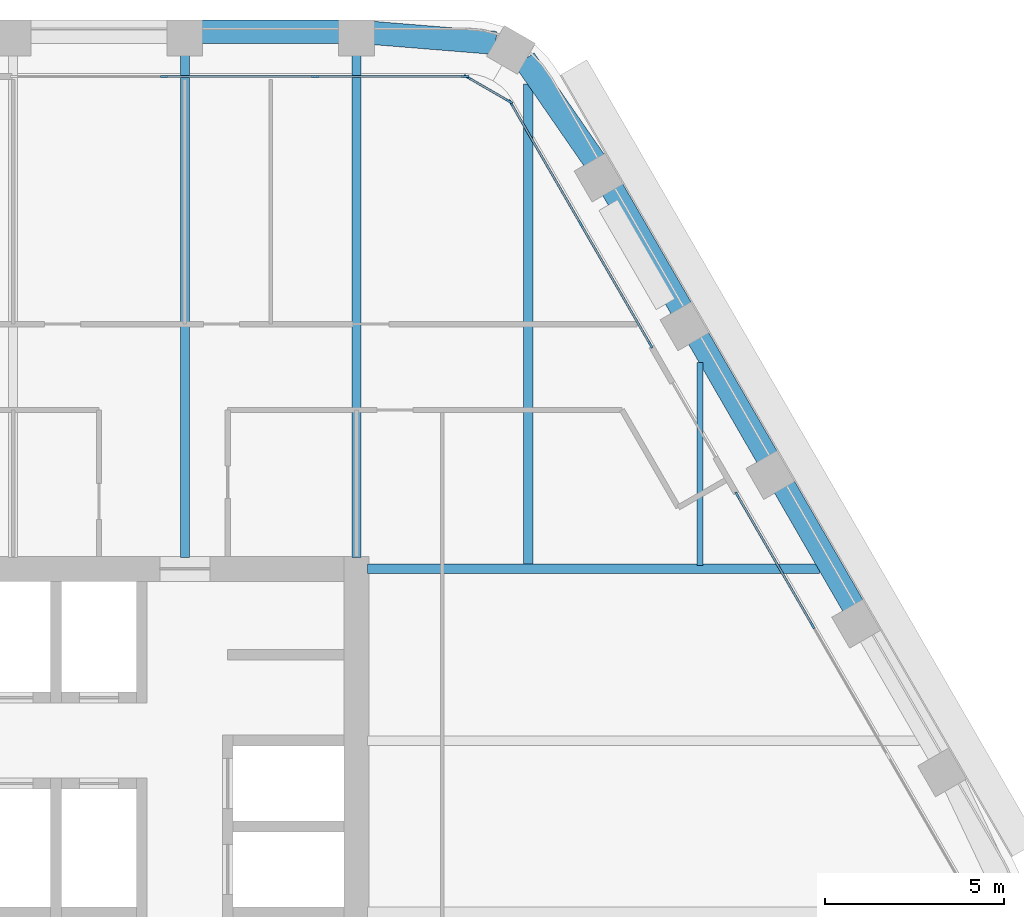
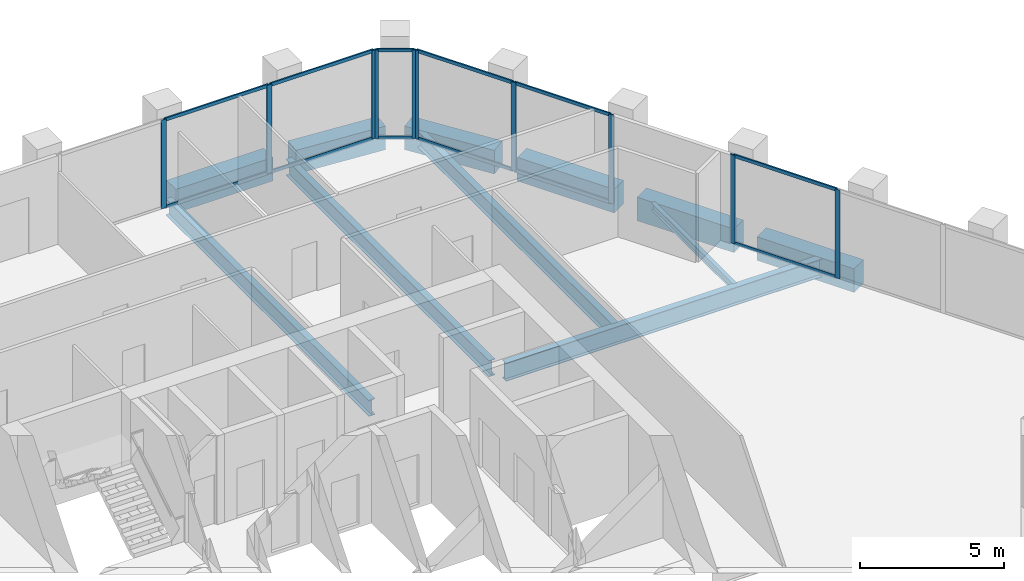
# One storey, part 6 of 15: 22 members, 11 beams, 4 elements without a shape of their own.
"""IFC4 building model written with IfcOpenShell, lengths in metres."""

from ifc_helpers import new_model, si_unit, direction, frame, origin, origin_2d, place, context, subcontext, project, spatial, rectangle, i_section, extrude, material, material_profile, profile_set, type_object, element, aggregate, save


model = new_model("IFC4")

# Units and contexts
model_context = context("Model", 3, precision=1e-05, world=origin(), true_north=direction((0.0, 1.0)))
body_context = subcontext(model_context, "Body", "Model", "MODEL_VIEW")
ifc_project = project(units=[si_unit("LENGTHUNIT", "METRE"), si_unit("AREAUNIT", "SQUARE_METRE"), si_unit("VOLUMEUNIT", "CUBIC_METRE"), si_unit("PLANEANGLEUNIT", "RADIAN"), si_unit("MASSUNIT", "GRAM", prefix="KILO")], contexts=[model_context])

# Site, building, storey
site_placement = place(None, origin())
site = spatial("IfcSite", under=ifc_project, at=site_placement, CompositionType="ELEMENT")
building_placement = place(site_placement, origin())
building = spatial("IfcBuilding", under=site, at=building_placement, Name="Kolab Exchange Tower", CompositionType="ELEMENT")
storey_placement = place(building_placement, frame((0.0, 0.0, 154.39990234375)))
storey = spatial("IfcBuildingStorey", under=building, at=storey_placement, Name="L31", CompositionType="ELEMENT", Elevation=154.39990234375)

# Beams
ifc_material_1 = material(Name="Steel S355", Category="steel")
ifc_material_profile_1 = material_profile(ifc_material_1, i_section(OverallWidth=0.1650390625, OverallDepth=0.31005859375, WebThickness=0.005859375, FlangeThickness=0.009765625, at=origin_2d()), Name="W310X39")
ifc_profile_set_1 = profile_set([ifc_material_profile_1], Name="Steel S355")
beam_type_1 = type_object("IfcBeamType", Name="FLOOR BEAM W310X39", PredefinedType="BEAM", material=ifc_profile_set_1)
beam_1_placement = place(storey_placement, frame((19.199951171875, 9.693603515625, -0.304931640625), z_axis=(0.0, 1.0, 0.0), x_axis=(-1.0, 0.0, 0.0)))
element("IfcBeam", 1, at=beam_1_placement, inside=storey, type_object=beam_type_1, Name="beam/L31/fr/023", PredefinedType="BEAM", context=body_context, shape_type="SweptSolid", body=[
    extrude(i_section(OverallWidth=0.1650390625, OverallDepth=0.31005859375, WebThickness=0.005859375, FlangeThickness=0.009765625, at=origin_2d()), origin(), (0.0, 0.0, 1.0), 5.674072265625),
])
ifc_material_profile_2 = material_profile(ifc_material_1, i_section(OverallWidth=0.25390625, OverallDepth=0.68408203125, WebThickness=0.012451171875, FlangeThickness=0.018798828125, at=origin_2d()), Name="W690X140")
ifc_profile_set_2 = profile_set([ifc_material_profile_2], Name="Steel S355")
beam_type_2 = type_object("IfcBeamType", Name="FLOOR BEAM W690X140", PredefinedType="BEAM", material=ifc_profile_set_2)
for number, where, z_axis, x_axis, name in (
    (2, (4.800048828125, 9.909912109375, -0.491943359375), (0.0, 1.0, 0.0), (-1.0, 0.0, 0.0), "beam/L31/fr/014"),
    (3, (9.60009765625, 9.909912109375, -0.491943359375), (0.0, 1.0, 0.0), (-1.0, 0.0, 0.0), "beam/L31/fr/016"),
):
    element("IfcBeam", number, at=place(storey_placement, frame(where, z_axis=z_axis, x_axis=x_axis)), inside=storey, type_object=beam_type_2, Name=name, PredefinedType="BEAM", context=body_context, shape_type="SweptSolid", body=[
        extrude(i_section(OverallWidth=0.25390625, OverallDepth=0.68408203125, WebThickness=0.012451171875, FlangeThickness=0.018798828125, at=origin_2d()), origin(), (0.0, 0.0, 1.0), 14.071533203125),
    ])
beam_2_placement = place(storey_placement, frame((14.39990234375, 9.693603515625, -0.491943359375), z_axis=(0.0, 1.0, 0.0), x_axis=(-1.0, 0.0, 0.0)))
element("IfcBeam", 4, at=beam_2_placement, inside=storey, type_object=beam_type_2, Name="beam/L31/fr/021", PredefinedType="BEAM", context=body_context, shape_type="SweptSolid", body=[
    extrude(i_section(OverallWidth=0.25390625, OverallDepth=0.68408203125, WebThickness=0.012451171875, FlangeThickness=0.018798828125, at=origin_2d()), origin(), (0.0, 0.0, 1.0), 13.462158203125),
])
ifc_material_profile_3 = material_profile(ifc_material_1, i_section(OverallWidth=0.26708984375, OverallDepth=0.761962890625, WebThickness=0.014404296875, FlangeThickness=0.021484375, at=origin_2d()), Name="W760X173")
ifc_profile_set_3 = profile_set([ifc_material_profile_3], Name="Steel S355")
beam_type_3 = type_object("IfcBeamType", Name="FLOOR GIRDER W760X173", PredefinedType="BEAM", material=ifc_profile_set_3)
beam_3_placement = place(storey_placement, frame((9.909912109375, 9.60009765625, -0.531005859375), z_axis=(1.0, 0.0, 0.0), x_axis=(0.0, 1.0, 0.0)))
element("IfcBeam", 5, at=beam_3_placement, inside=storey, type_object=beam_type_3, Name="beam/L31/gd/003", PredefinedType="BEAM", context=body_context, shape_type="SweptSolid", body=[
    extrude(i_section(OverallWidth=0.26708984375, OverallDepth=0.761962890625, WebThickness=0.014404296875, FlangeThickness=0.021484375, at=origin_2d()), origin(), (0.0, 0.0, 1.0), 12.636962890625),
])
ifc_material_2 = material(Name="Concrete C60/75", Category="concrete")
ifc_material_profile_4 = material_profile(ifc_material_2, rectangle(XDim=0.64990234375, YDim=1.0, at=origin_2d()), Name="RC650X1000")
ifc_profile_set_4 = profile_set([ifc_material_profile_4], Name="Concrete C60/75")
beam_type_4 = type_object("IfcBeamType", Name="SPANDREL BEAM 650X1000 C60/75", PredefinedType="BEAM", material=ifc_profile_set_4)
beam_4_placement = place(storey_placement, frame((5.260009765625, 24.616455078125, -0.64990234375), z_axis=(1.0, 0.0, 0.0), x_axis=(0.0, 1.0, 0.0)))
element("IfcBeam", 6, at=beam_4_placement, inside=storey, type_object=beam_type_4, Name="beam/L31/sp/F1-05", PredefinedType="BEAM", context=body_context, shape_type="SweptSolid", body=[
    extrude(rectangle(XDim=0.64990234375, YDim=1.0, at=origin_2d()), origin(), (0.0, 0.0, 1.0), 3.8798828125),
])
for number, where, z_axis, x_axis, name in (
    (7, (10.06005859375, 24.5791015625, -0.64990234375), (0.996708497182, -0.081068931445, 0.0), (0.081068931445, 0.996708497182, 0.0), "beam/L31/sp/F1-06"),
    (8, (14.29736328125, 23.8359375, -0.64990234375), (0.568572281073, -0.822633309073, 0.0), (0.822633309073, 0.568572281073, 0.0), "beam/L31/sp/F2-01"),
):
    element("IfcBeam", number, at=place(storey_placement, frame(where, z_axis=z_axis, x_axis=x_axis)), inside=storey, type_object=beam_type_4, Name=name, PredefinedType="BEAM", context=body_context, shape_type="SweptSolid", body=[
        extrude(rectangle(XDim=0.64990234375, YDim=1.0, at=origin_2d()), origin(), (0.0, 0.0, 1.0), 3.445068359375),
    ])
beam_5_placement = place(storey_placement, frame((16.74853515625, 20.2236328125, -0.64990234375), z_axis=(0.499996613652, -0.866027358884, 0.0), x_axis=(0.866027358884, 0.499996613652, 0.0)))
element("IfcBeam", 9, at=beam_5_placement, inside=storey, type_object=beam_type_4, Name="beam/L31/sp/F2-02", PredefinedType="BEAM", context=body_context, shape_type="SweptSolid", body=[
    extrude(rectangle(XDim=0.64990234375, YDim=1.0, at=origin_2d()), origin(), (0.0, 0.0, 1.0), 3.8798828125),
])
beam_6_placement = place(storey_placement, frame((19.1484375, 16.06689453125, -0.64990234375), z_axis=(0.50001655835, -0.866015843605, 0.0), x_axis=(0.866015843605, 0.50001655835, 0.0)))
element("IfcBeam", 10, at=beam_6_placement, inside=storey, type_object=beam_type_4, Name="beam/L31/sp/F2-03", PredefinedType="BEAM", context=body_context, shape_type="SweptSolid", body=[
    extrude(rectangle(XDim=0.64990234375, YDim=1.0, at=origin_2d()), origin(), (0.0, 0.0, 1.0), 3.880126953125),
])
beam_7_placement = place(storey_placement, frame((21.548583984375, 11.909912109375, -0.64990234375), z_axis=(0.499996613652, -0.866027358884, 0.0), x_axis=(0.866027358884, 0.499996613652, 0.0)))
element("IfcBeam", 11, at=beam_7_placement, inside=storey, type_object=beam_type_4, Name="beam/L31/sp/F2-04", PredefinedType="BEAM", context=body_context, shape_type="SweptSolid", body=[
    extrude(rectangle(XDim=0.64990234375, YDim=1.0, at=origin_2d()), origin(), (0.0, 0.0, 1.0), 3.8798828125),
])

# Curtain wall, members
ifc_material_3 = material(Name="Aluminium EN AW-6063 T6", Category="aluminium")
curtain_wall_type = type_object("IfcCurtainWallType", Name="UNITISED UPPER MID ZONE CURTAIN WALL", PredefinedType="NOTDEFINED", material=ifc_material_3)
curtain_wall_1_placement = place(storey_placement, origin())
curtain_wall_1 = element("IfcCurtainWall", 12, at=curtain_wall_1_placement, inside=storey, type_object=curtain_wall_type, Name="cw/L31/F1-2", PredefinedType="NOTDEFINED")
ifc_material_profile_5 = material_profile(ifc_material_3, rectangle(XDim=0.06005859375, YDim=0.199951171875, at=origin_2d()), Name="RECT 60X200")
ifc_profile_set_5 = profile_set([ifc_material_profile_5], Name="Aluminium EN AW-6063 T6")
member_type_1 = type_object("IfcMemberType", Name="UNITISED UPPER MID ZONE MULLION 60 X 200", PredefinedType="MULLION", material=ifc_profile_set_5)
member_1_placement = place(storey_placement, frame((4.22265625, 23.361572265625, 0.0), z_axis=(0.0, 0.0, 1.0), x_axis=(0.0, 1.0, 0.0)))
member_1 = element("IfcMember", 13, at=member_1_placement, type_object=member_type_1, Name="CW3 mullion 2", PredefinedType="MULLION", context=body_context, shape_type="SweptSolid", body=[
    extrude(rectangle(XDim=0.06005859375, YDim=0.199951171875, at=origin_2d()), origin(), (0.0, 0.0, 1.0), 3.75),
])
member_2_placement = place(storey_placement, frame((8.4453125, 23.361572265625, 0.0), z_axis=(0.0, 0.0, 1.0), x_axis=(0.0, 1.0, 0.0)))
member_2 = element("IfcMember", 14, at=member_2_placement, type_object=member_type_1, Name="CW3 mullion 3", PredefinedType="MULLION", context=body_context, shape_type="SweptSolid", body=[
    extrude(rectangle(XDim=0.06005859375, YDim=0.199951171875, at=origin_2d()), origin(), (0.0, 0.0, 1.0), 3.75),
])
member_3_placement = place(storey_placement, frame((12.637939453125, 23.361572265625, 0.0), z_axis=(0.0, 0.0, 1.0), x_axis=(0.0, 1.0, 0.0)))
member_3 = element("IfcMember", 15, at=member_3_placement, type_object=member_type_1, Name="CW3 mullion 4", PredefinedType="MULLION", context=body_context, shape_type="SweptSolid", body=[
    extrude(rectangle(XDim=0.06005859375, YDim=0.199951171875, at=origin_2d()), origin(), (0.0, 0.0, 1.0), 3.75),
])

curtain_wall_2_placement = place(storey_placement, origin())
curtain_wall_2 = element("IfcCurtainWall", 16, at=curtain_wall_2_placement, inside=storey, type_object=curtain_wall_type, Name="cw/L31/F2-1", PredefinedType="NOTDEFINED")
member_4_placement = place(storey_placement, frame((13.91259765625, 22.62548828125, 0.0), z_axis=(0.0, 0.0, 1.0), x_axis=(0.866025385493, 0.500000031681, 0.0)))
member_4 = element("IfcMember", 17, at=member_4_placement, type_object=member_type_1, Name="CW3 mullion 1", PredefinedType="MULLION", context=body_context, shape_type="SweptSolid", body=[
    extrude(rectangle(XDim=0.06005859375, YDim=0.199951171875, at=origin_2d()), origin(), (0.0, 0.0, 1.0), 3.75),
])
member_5_placement = place(storey_placement, frame((15.86474609375, 19.24462890625, 0.0), z_axis=(0.0, 0.0, 1.0), x_axis=(0.866025385493, 0.500000031681, 0.0)))
member_5 = element("IfcMember", 18, at=member_5_placement, type_object=member_type_1, Name="CW3 mullion 2", PredefinedType="MULLION", context=body_context, shape_type="SweptSolid", body=[
    extrude(rectangle(XDim=0.06005859375, YDim=0.199951171875, at=origin_2d()), origin(), (0.0, 0.0, 1.0), 3.75),
])
member_6_placement = place(storey_placement, frame((17.816650390625, 15.86376953125, 0.0), z_axis=(0.0, 0.0, 1.0), x_axis=(0.866025385493, 0.500000031681, 0.0)))
member_6 = element("IfcMember", 19, at=member_6_placement, type_object=member_type_1, Name="CW3 mullion 3", PredefinedType="MULLION", context=body_context, shape_type="SweptSolid", body=[
    extrude(rectangle(XDim=0.06005859375, YDim=0.199951171875, at=origin_2d()), origin(), (0.0, 0.0, 1.0), 3.75),
])

curtain_wall_3_placement = place(storey_placement, origin())
curtain_wall_3 = element("IfcCurtainWall", 20, at=curtain_wall_3_placement, inside=storey, type_object=curtain_wall_type, Name="cw/L31/F2-2", PredefinedType="NOTDEFINED")
member_7_placement = place(storey_placement, frame((20.24658203125, 11.65478515625, 0.0), z_axis=(0.0, 0.0, 1.0), x_axis=(0.866025427826, 0.499999958358, 0.0)))
member_7 = element("IfcMember", 21, at=member_7_placement, type_object=member_type_1, Name="CW3 mullion 1", PredefinedType="MULLION", context=body_context, shape_type="SweptSolid", body=[
    extrude(rectangle(XDim=0.06005859375, YDim=0.199951171875, at=origin_2d()), origin(), (0.0, 0.0, 1.0), 3.75),
])
member_8_placement = place(storey_placement, frame((22.343017578125, 8.02392578125, 0.0), z_axis=(0.0, 0.0, 1.0), x_axis=(0.866025427826, 0.499999958358, 0.0)))
member_8 = element("IfcMember", 22, at=member_8_placement, type_object=member_type_1, Name="CW3 mullion 2", PredefinedType="MULLION", context=body_context, shape_type="SweptSolid", body=[
    extrude(rectangle(XDim=0.06005859375, YDim=0.199951171875, at=origin_2d()), origin(), (0.0, 0.0, 1.0), 3.75),
])

curtain_wall_4_placement = place(storey_placement, origin())
curtain_wall_4 = element("IfcCurtainWall", 23, at=curtain_wall_4_placement, inside=storey, type_object=curtain_wall_type, Name="cw/L31/F1F2-corner", PredefinedType="NOTDEFINED")
member_9_placement = place(storey_placement, frame((12.69384765625, 23.346435546875, 0.0), z_axis=(0.0, 0.0, 1.0), x_axis=(0.50000002237, 0.866025390869, 0.0)))
member_9 = element("IfcMember", 24, at=member_9_placement, type_object=member_type_1, Name="CW3 mullion 1", PredefinedType="MULLION", context=body_context, shape_type="SweptSolid", body=[
    extrude(rectangle(XDim=0.06005859375, YDim=0.199951171875, at=origin_2d()), origin(), (0.0, 0.0, 1.0), 3.75),
])
member_10_placement = place(storey_placement, frame((13.871826171875, 22.66650390625, 0.0), z_axis=(0.0, 0.0, 1.0), x_axis=(0.50000002237, 0.866025390869, 0.0)))
member_10 = element("IfcMember", 25, at=member_10_placement, type_object=member_type_1, Name="CW3 mullion 2", PredefinedType="MULLION", context=body_context, shape_type="SweptSolid", body=[
    extrude(rectangle(XDim=0.06005859375, YDim=0.199951171875, at=origin_2d()), origin(), (0.0, 0.0, 1.0), 3.75),
])

# Member
ifc_material_profile_6 = material_profile(ifc_material_3, rectangle(XDim=0.06005859375, YDim=0.139892578125, at=origin_2d()), Name="RECT 60X140")
ifc_profile_set_6 = profile_set([ifc_material_profile_6], Name="Aluminium EN AW-6063 T6")
member_type_2 = type_object("IfcMemberType", Name="UNITISED UPPER MID ZONE TRANSOM 60 X 140", PredefinedType="USERDEFINED", material=ifc_profile_set_6)
member_11_placement = place(storey_placement, frame((4.252685546875, 23.361572265625, 0.030029296875), z_axis=(1.0, 0.0, 0.0), x_axis=(0.0, 1.0, 0.0)))
member_11 = element("IfcMember", 26, at=member_11_placement, type_object=member_type_2, Name="CW3 transom 2.1", ObjectType="TRANSOM", PredefinedType="USERDEFINED", context=body_context, shape_type="SweptSolid", body=[
    extrude(rectangle(XDim=0.06005859375, YDim=0.139892578125, at=origin_2d()), origin(), (0.0, 0.0, 1.0), 4.16259765625),
])

member_12_placement = place(storey_placement, frame((4.252685546875, 23.361572265625, 3.72021484375), z_axis=(1.0, 0.0, 0.0), x_axis=(0.0, 1.0, 0.0)))
member_12 = element("IfcMember", 27, at=member_12_placement, type_object=member_type_2, Name="CW3 transom 2.2", ObjectType="TRANSOM", PredefinedType="USERDEFINED", context=body_context, shape_type="SweptSolid", body=[
    extrude(rectangle(XDim=0.06005859375, YDim=0.139892578125, at=origin_2d()), origin(), (0.0, 0.0, 1.0), 4.16259765625),
])

member_13_placement = place(storey_placement, frame((8.475341796875, 23.361572265625, 0.030029296875), z_axis=(1.0, 0.0, 0.0), x_axis=(0.0, 1.0, 0.0)))
member_13 = element("IfcMember", 28, at=member_13_placement, type_object=member_type_2, Name="CW3 transom 3.1", ObjectType="TRANSOM", PredefinedType="USERDEFINED", context=body_context, shape_type="SweptSolid", body=[
    extrude(rectangle(XDim=0.06005859375, YDim=0.139892578125, at=origin_2d()), origin(), (0.0, 0.0, 1.0), 4.132568359375),
])

member_14_placement = place(storey_placement, frame((8.475341796875, 23.361572265625, 3.72021484375), z_axis=(1.0, 0.0, 0.0), x_axis=(0.0, 1.0, 0.0)))
member_14 = element("IfcMember", 29, at=member_14_placement, type_object=member_type_2, Name="CW3 transom 3.2", ObjectType="TRANSOM", PredefinedType="USERDEFINED", context=body_context, shape_type="SweptSolid", body=[
    extrude(rectangle(XDim=0.06005859375, YDim=0.139892578125, at=origin_2d()), origin(), (0.0, 0.0, 1.0), 4.132568359375),
])

aggregate(curtain_wall_1, [member_1, member_2, member_3, member_11, member_12, member_13, member_14])

member_15_placement = place(storey_placement, frame((13.927734375, 22.599609375, 0.030029296875), z_axis=(0.499964356602, -0.866045981532, 0.0), x_axis=(0.866045981532, 0.499964356602, 0.0)))
member_15 = element("IfcMember", 30, at=member_15_placement, type_object=member_type_2, Name="CW3 transom 1.1", ObjectType="TRANSOM", PredefinedType="USERDEFINED", context=body_context, shape_type="SweptSolid", body=[
    extrude(rectangle(XDim=0.06005859375, YDim=0.139892578125, at=origin_2d()), origin(), (0.0, 0.0, 1.0), 3.843994140625),
])

member_16_placement = place(storey_placement, frame((13.927734375, 22.599609375, 3.72021484375), z_axis=(0.499964356602, -0.866045981532, 0.0), x_axis=(0.866045981532, 0.499964356602, 0.0)))
member_16 = element("IfcMember", 31, at=member_16_placement, type_object=member_type_2, Name="CW3 transom 1.2", ObjectType="TRANSOM", PredefinedType="USERDEFINED", context=body_context, shape_type="SweptSolid", body=[
    extrude(rectangle(XDim=0.06005859375, YDim=0.139892578125, at=origin_2d()), origin(), (0.0, 0.0, 1.0), 3.843994140625),
])

member_17_placement = place(storey_placement, frame((15.879638671875, 19.21875, 0.030029296875), z_axis=(0.500011990396, -0.866018481016, 0.0), x_axis=(0.866018481016, 0.500011990396, 0.0)))
member_17 = element("IfcMember", 32, at=member_17_placement, type_object=member_type_2, Name="CW3 transom 2.1", ObjectType="TRANSOM", PredefinedType="USERDEFINED", context=body_context, shape_type="SweptSolid", body=[
    extrude(rectangle(XDim=0.06005859375, YDim=0.139892578125, at=origin_2d()), origin(), (0.0, 0.0, 1.0), 3.84423828125),
])

member_18_placement = place(storey_placement, frame((15.879638671875, 19.21875, 3.72021484375), z_axis=(0.500011990396, -0.866018481016, 0.0), x_axis=(0.866018481016, 0.500011990396, 0.0)))
member_18 = element("IfcMember", 33, at=member_18_placement, type_object=member_type_2, Name="CW3 transom 2.2", ObjectType="TRANSOM", PredefinedType="USERDEFINED", context=body_context, shape_type="SweptSolid", body=[
    extrude(rectangle(XDim=0.06005859375, YDim=0.139892578125, at=origin_2d()), origin(), (0.0, 0.0, 1.0), 3.84423828125),
])

aggregate(curtain_wall_2, [member_4, member_5, member_6, member_15, member_16, member_17, member_18])

member_19_placement = place(storey_placement, frame((20.26171875, 11.62890625, 0.030029296875), z_axis=(0.500001996123, -0.866024251319, 0.0), x_axis=(0.866024251319, 0.500001996123, 0.0)))
member_19 = element("IfcMember", 34, at=member_19_placement, type_object=member_type_2, Name="CW3 transom 1.1", ObjectType="TRANSOM", PredefinedType="USERDEFINED", context=body_context, shape_type="SweptSolid", body=[
    extrude(rectangle(XDim=0.06005859375, YDim=0.139892578125, at=origin_2d()), origin(), (0.0, 0.0, 1.0), 4.1328125),
])

member_20_placement = place(storey_placement, frame((20.26171875, 11.62890625, 3.72021484375), z_axis=(0.500001996123, -0.866024251319, 0.0), x_axis=(0.866024251319, 0.500001996123, 0.0)))
member_20 = element("IfcMember", 35, at=member_20_placement, type_object=member_type_2, Name="CW3 transom 1.2", ObjectType="TRANSOM", PredefinedType="USERDEFINED", context=body_context, shape_type="SweptSolid", body=[
    extrude(rectangle(XDim=0.06005859375, YDim=0.139892578125, at=origin_2d()), origin(), (0.0, 0.0, 1.0), 4.1328125),
])

aggregate(curtain_wall_3, [member_7, member_8, member_19, member_20])

member_21_placement = place(storey_placement, frame((12.719970703125, 23.33154296875, 0.030029296875), z_axis=(0.86603858612, -0.49997716683, 0.0), x_axis=(0.49997716683, 0.86603858612, 0.0)))
member_21 = element("IfcMember", 36, at=member_21_placement, type_object=member_type_2, Name="CW3 transom 1.1", ObjectType="TRANSOM", PredefinedType="USERDEFINED", context=body_context, shape_type="SweptSolid", body=[
    extrude(rectangle(XDim=0.06005859375, YDim=0.139892578125, at=origin_2d()), origin(), (0.0, 0.0, 1.0), 1.2998046875),
])

member_22_placement = place(storey_placement, frame((12.719970703125, 23.33154296875, 3.72021484375), z_axis=(0.86603858612, -0.49997716683, 0.0), x_axis=(0.49997716683, 0.86603858612, 0.0)))
member_22 = element("IfcMember", 37, at=member_22_placement, type_object=member_type_2, Name="CW3 transom 1.2", ObjectType="TRANSOM", PredefinedType="USERDEFINED", context=body_context, shape_type="SweptSolid", body=[
    extrude(rectangle(XDim=0.06005859375, YDim=0.139892578125, at=origin_2d()), origin(), (0.0, 0.0, 1.0), 1.2998046875),
])

aggregate(curtain_wall_4, [member_9, member_10, member_21, member_22])

save(model, "model.ifc")
